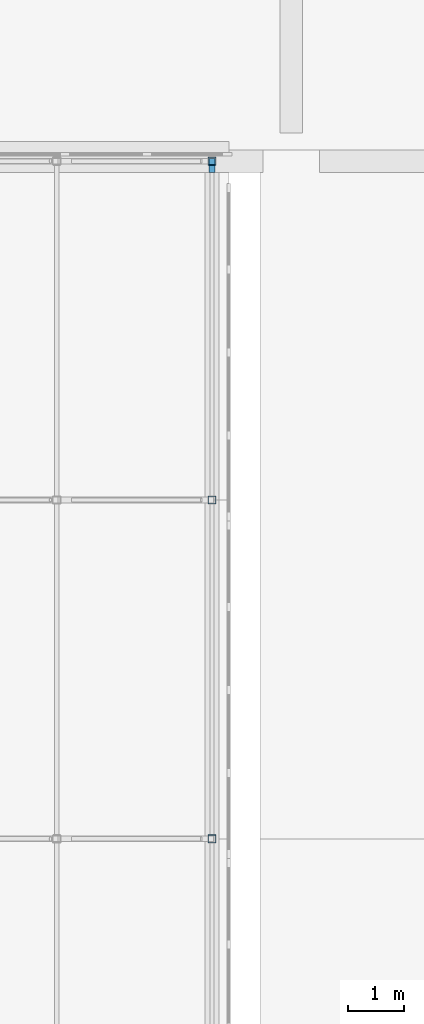
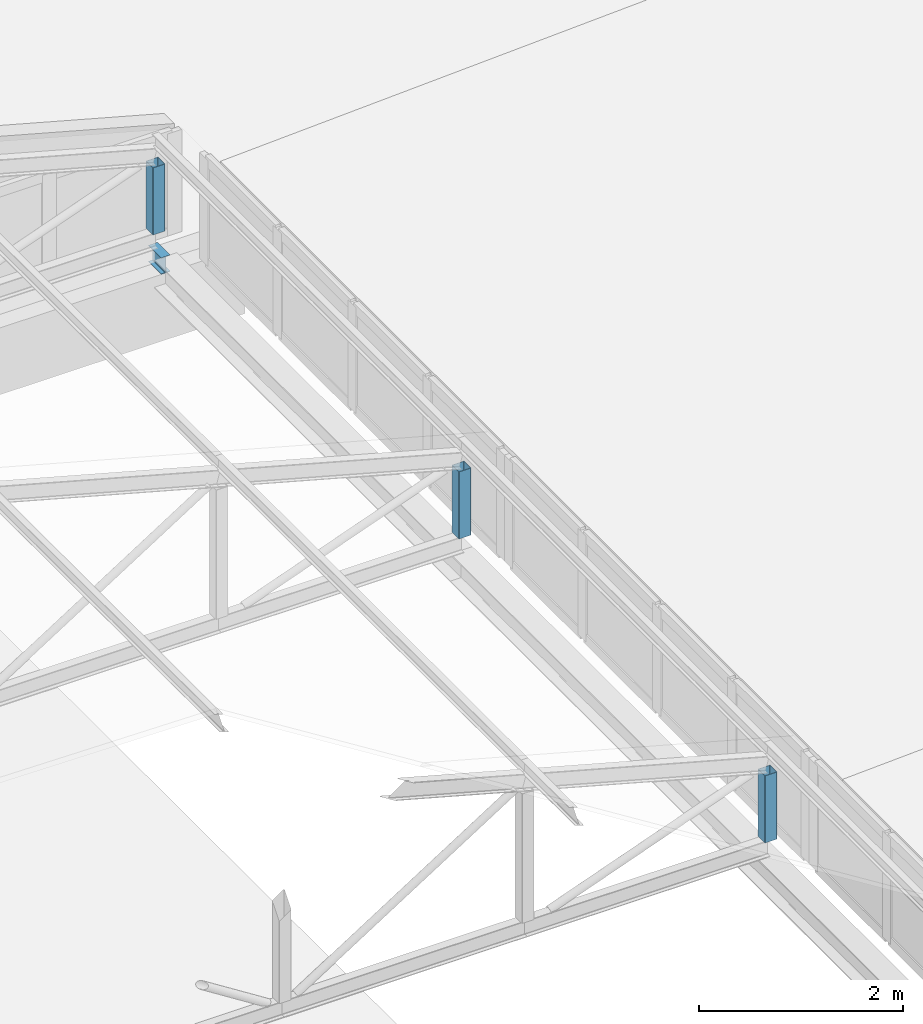
# One storey, part 76 of 94: 3 members, 1 beam.
"""IFC4 building model written with IfcOpenShell, lengths in metres."""

from ifc_helpers import new_model, si_unit, direction, frame, origin, origin_2d, place, context, subcontext, project, spatial, hollow_rectangle, i_section, extrude, material, material_profile, profile_set, type_object, element, save


model = new_model("IFC4")

# Units and contexts
model_context = context("Model", 3, precision=1e-05, world=origin(), true_north=direction((0.0, 1.0)))
body_context = subcontext(model_context, "Body", "Model", "MODEL_VIEW")
ifc_project = project(units=[si_unit("LENGTHUNIT", "METRE"), si_unit("AREAUNIT", "SQUARE_METRE"), si_unit("VOLUMEUNIT", "CUBIC_METRE"), si_unit("PLANEANGLEUNIT", "RADIAN"), si_unit("MASSUNIT", "GRAM", prefix="KILO")], contexts=[model_context])

# Site, building, storey
site_placement = place(None, origin())
site = spatial("IfcSite", under=ifc_project, at=site_placement, CompositionType="ELEMENT")
building_placement = place(site_placement, origin())
building = spatial("IfcBuilding", under=site, at=building_placement, Name="Lilac Gate Convention Centre", CompositionType="ELEMENT")
storey_placement = place(building_placement, frame((0.0, 0.0, 21.0)))
storey = spatial("IfcBuildingStorey", under=building, at=storey_placement, Name="L04", CompositionType="ELEMENT", Elevation=21.0)

# Members
ifc_material = material(Name="Steel Q355B", Category="steel")
ifc_material_profile_1 = material_profile(ifc_material, hollow_rectangle(XDim=0.139892578125, YDim=0.139892578125, WallThickness=0.0048828125, InnerFilletRadius=0.0048828125, OuterFilletRadius=0.010009765625, at=origin_2d()), Name="SHS140x140x5")
ifc_profile_set_1 = profile_set([ifc_material_profile_1], Name="Steel Q355B")
member_type = type_object("IfcMemberType", Name="Lantern post SHS140x140x5", PredefinedType="STRUT", material=ifc_profile_set_1)
for number, where, z_axis, x_axis, name in (
    (1, (28.60009765625, 210.0, 0.199951171875), (0.0, 0.0, 1.0), (1.0, 0.0, 0.0), "LV1 lantern truss 31 post 5"),
    (2, (28.60009765625, 216.0, 0.199951171875), (0.0, 0.0, 1.0), (1.0, 0.0, 0.0), "LV1 lantern truss 32 post 5"),
    (3, (28.60009765625, 222.0, 0.199951171875), (0.0, 0.0, 1.0), (1.0, 0.0, 0.0), "LV1 lantern truss 33 post 5"),
):
    element("IfcMember", number, at=place(storey_placement, frame(where, z_axis=z_axis, x_axis=x_axis)), inside=storey, type_object=member_type, Name=name, PredefinedType="STRUT", context=body_context, shape_type="SweptSolid", body=[
        extrude(hollow_rectangle(XDim=0.139892578125, YDim=0.139892578125, WallThickness=0.0048828125, InnerFilletRadius=0.0048828125, OuterFilletRadius=0.010009765625, at=origin_2d()), origin(), (0.0, 0.0, 1.0), 0.802001953125),
    ])

# Beam
ifc_material_profile_2 = material_profile(ifc_material, i_section(OverallWidth=0.10009765625, OverallDepth=0.199951171875, WebThickness=0.005615234375, FlangeThickness=0.008056640625, FilletRadius=0.008056640625, at=origin_2d()), Name="HN200x100x5.5x8")
ifc_profile_set_2 = profile_set([ifc_material_profile_2], Name="Steel Q355B")
beam_type = type_object("IfcBeamType", Name="Steel edge beam HN200x100x5.5x8", PredefinedType="BEAM", material=ifc_profile_set_2)
beam_placement = place(storey_placement, frame((28.60009765625, 221.800048828125, -0.10009765625), z_axis=(0.0, 1.0, 0.0), x_axis=(-1.0, 0.0, 0.0)))
element("IfcBeam", 4, at=beam_placement, inside=storey, type_object=beam_type, Name="LE2 lantern edge beam 18", PredefinedType="BEAM", context=body_context, shape_type="SweptSolid", body=[
    extrude(i_section(OverallWidth=0.10009765625, OverallDepth=0.199951171875, WebThickness=0.005615234375, FlangeThickness=0.008056640625, FilletRadius=0.008056640625, at=origin_2d()), origin(), (0.0, 0.0, 1.0), 0.25),
])

save(model, "model.ifc")
